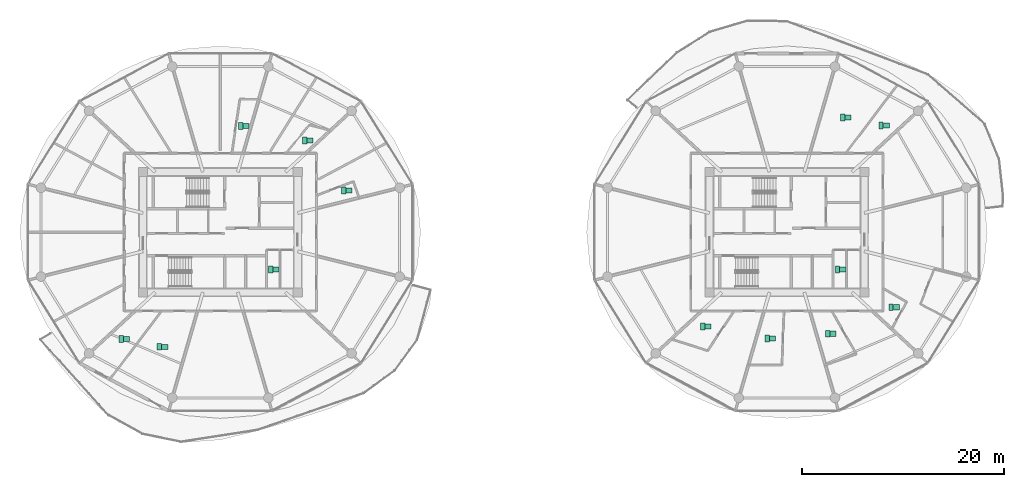
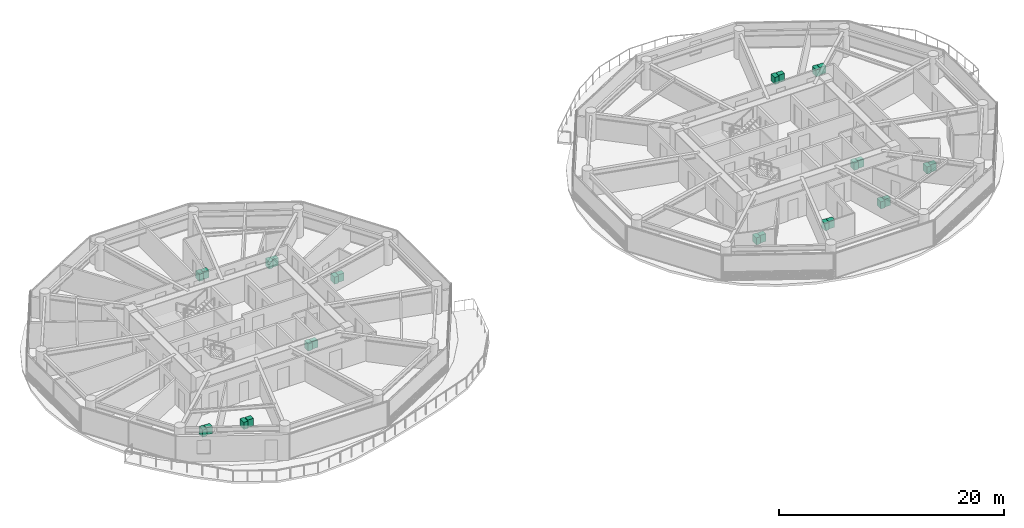
# One storey, part 27 of 27: 26 sanitary terminals.
"""IFC4 building model written with IfcOpenShell, lengths in metres."""

from ifc_helpers import new_model, si_unit, direction, frame, origin, origin_2d, place, context, subcontext, project, spatial, rectangle, extrude, source, transform, mapped, material, type_object, type_shapes, element, save


model = new_model("IFC4")

# Units and contexts
model_context = context("Model", 3, precision=1e-05, world=origin(), true_north=direction((0.0, 1.0)))
body_context = subcontext(model_context, "Body", "Model", "MODEL_VIEW")
ifc_project = project(units=[si_unit("LENGTHUNIT", "METRE"), si_unit("AREAUNIT", "SQUARE_METRE"), si_unit("VOLUMEUNIT", "CUBIC_METRE"), si_unit("PLANEANGLEUNIT", "RADIAN"), si_unit("MASSUNIT", "GRAM", prefix="KILO")], contexts=[model_context])

# Site, building, storey
site_placement = place(None, origin())
site = spatial("IfcSite", under=ifc_project, at=site_placement, CompositionType="ELEMENT")
building_placement = place(site_placement, origin())
building = spatial("IfcBuilding", under=site, at=building_placement, Name="Norrkilde Senior Care Towers", CompositionType="ELEMENT")
storey_placement = place(building_placement, frame((0.0, 0.0, 52.10009765625)))
storey = spatial("IfcBuildingStorey", under=building, at=storey_placement, Name="L15", CompositionType="ELEMENT", Elevation=52.10009765625)

# Sanitary terminals
ifc_material = material(Name="Porcelain Ceramic")
sanitary_terminal_type_1 = type_object("IfcSanitaryTerminalType", Name="Accessible Senior WC Suite", PredefinedType="TOILETPAN", material=ifc_material)
shared_shape_1 = source(origin(), body_context, "Body", "SweptSolid", [
    extrude(rectangle(XDim=0.419921875, YDim=0.679931640625, at=origin_2d()), origin(), (0.0, 0.0, 1.0), 0.780029296875),
])
type_shapes(sanitary_terminal_type_1, [shared_shape_1])
for number, where, z_axis, x_axis, name in (
    (1, (-23.010009765625, -3.675048828125, 0.0), (0.0, 0.0, 1.0), (1.0, 0.0, 0.0), "L15 Accessible WC Pan 0057"),
    (2, (-37.79150390625, -10.54150390625, 0.0), (0.0, 0.0, 1.0), (1.0, 0.0, 0.0), "L15 Accessible WC Pan 0058"),
    (3, (-34.026123046875, -11.32861328125, 0.0), (0.0, 0.0, 1.0), (1.0, 0.0, 0.0), "L15 Accessible WC Pan 0059"),
    (4, (-15.811279296875, 4.117431640625, 0.0), (0.0, 0.0, 1.0), (1.0, 0.0, 0.0), "L15 Accessible WC Pan 0060"),
    (5, (-19.664306640625, 9.068359375, 0.0), (0.0, 0.0, 1.0), (1.0, 0.0, 0.0), "L15 Accessible WC Pan 0061"),
    (6, (-25.978759765625, 10.510498046875, 0.0), (0.0, 0.0, 1.0), (1.0, 0.0, 0.0), "L15 Accessible WC Pan 0062"),
    (7, (32.989990234375, -3.675048828125, 0.0), (0.0, 0.0, 1.0), (1.0, 0.0, 0.0), "L15 Accessible WC Pan 0063"),
    (8, (19.6787109375, -9.338623046875, 0.0), (0.0, 0.0, 1.0), (1.0, 0.0, 0.0), "L15 Accessible WC Pan 0064"),
    (9, (26.054931640625, -10.51025390625, 0.0), (0.0, 0.0, 1.0), (1.0, 0.0, 0.0), "L15 Accessible WC Pan 0065"),
    (10, (32.030029296875, -10.041015625, 0.0), (0.0, 0.0, 1.0), (1.0, 0.0, 0.0), "L15 Accessible WC Pan 0066"),
    (11, (38.289794921875, -7.41748046875, 0.0), (0.0, 0.0, 1.0), (1.0, 0.0, 0.0), "L15 Accessible WC Pan 0067"),
    (12, (37.29150390625, 10.54150390625, 0.0), (0.0, 0.0, 1.0), (1.0, 0.0, 0.0), "L15 Accessible WC Pan 0068"),
    (13, (33.526123046875, 11.32861328125, 0.0), (0.0, 0.0, 1.0), (1.0, 0.0, 0.0), "L15 Accessible WC Pan 0069"),
):
    element("IfcSanitaryTerminal", number, at=place(storey_placement, frame(where, z_axis=z_axis, x_axis=x_axis)), inside=storey, type_object=sanitary_terminal_type_1, Name=name, PredefinedType="TOILETPAN", context=body_context, shape_type="MappedRepresentation", body=[
        mapped(shared_shape_1, transform((0.0, 0.0, 0.0), x_axis=(1.0, 0.0, 0.0), y_axis=(0.0, 1.0, 0.0), z_axis=(0.0, 0.0, 1.0), scale=1.0)),
    ])
sanitary_terminal_type_2 = type_object("IfcSanitaryTerminalType", Name="Thermostatic Care Washbasin", PredefinedType="WASHHANDBASIN", material=ifc_material)
shared_shape_2 = source(origin(), body_context, "Body", "SweptSolid", [
    extrude(rectangle(XDim=0.60009765625, YDim=0.5, at=origin_2d()), origin(), (0.0, 0.0, 1.0), 0.820068359375),
])
type_shapes(sanitary_terminal_type_2, [shared_shape_2])
for number, where, z_axis, x_axis, name in (
    (14, (-22.47998046875, -3.675048828125, 0.0), (0.0, 0.0, 1.0), (1.0, 0.0, 0.0), "L15 Accessible Washbasin 0057"),
    (15, (-37.26171875, -10.54150390625, 0.0), (0.0, 0.0, 1.0), (1.0, 0.0, 0.0), "L15 Accessible Washbasin 0058"),
    (16, (-33.49609375, -11.32861328125, 0.0), (0.0, 0.0, 1.0), (1.0, 0.0, 0.0), "L15 Accessible Washbasin 0059"),
    (17, (-15.28125, 4.117431640625, 0.0), (0.0, 0.0, 1.0), (1.0, 0.0, 0.0), "L15 Accessible Washbasin 0060"),
    (18, (-19.134521484375, 9.068359375, 0.0), (0.0, 0.0, 1.0), (1.0, 0.0, 0.0), "L15 Accessible Washbasin 0061"),
    (19, (-25.44873046875, 10.510498046875, 0.0), (0.0, 0.0, 1.0), (1.0, 0.0, 0.0), "L15 Accessible Washbasin 0062"),
    (20, (33.52001953125, -3.675048828125, 0.0), (0.0, 0.0, 1.0), (1.0, 0.0, 0.0), "L15 Accessible Washbasin 0063"),
    (21, (20.20849609375, -9.338623046875, 0.0), (0.0, 0.0, 1.0), (1.0, 0.0, 0.0), "L15 Accessible Washbasin 0064"),
    (22, (26.5849609375, -10.51025390625, 0.0), (0.0, 0.0, 1.0), (1.0, 0.0, 0.0), "L15 Accessible Washbasin 0065"),
    (23, (32.56005859375, -10.041015625, 0.0), (0.0, 0.0, 1.0), (1.0, 0.0, 0.0), "L15 Accessible Washbasin 0066"),
    (24, (38.819580078125, -7.41748046875, 0.0), (0.0, 0.0, 1.0), (1.0, 0.0, 0.0), "L15 Accessible Washbasin 0067"),
    (25, (37.821533203125, 10.54150390625, 0.0), (0.0, 0.0, 1.0), (1.0, 0.0, 0.0), "L15 Accessible Washbasin 0068"),
    (26, (34.05615234375, 11.32861328125, 0.0), (0.0, 0.0, 1.0), (1.0, 0.0, 0.0), "L15 Accessible Washbasin 0069"),
):
    element("IfcSanitaryTerminal", number, at=place(storey_placement, frame(where, z_axis=z_axis, x_axis=x_axis)), inside=storey, type_object=sanitary_terminal_type_2, Name=name, PredefinedType="WASHHANDBASIN", context=body_context, shape_type="MappedRepresentation", body=[
        mapped(shared_shape_2, transform((0.0, 0.0, 0.0), x_axis=(1.0, 0.0, 0.0), y_axis=(0.0, 1.0, 0.0), z_axis=(0.0, 0.0, 1.0), scale=1.0)),
    ])

save(model, "model.ifc")
